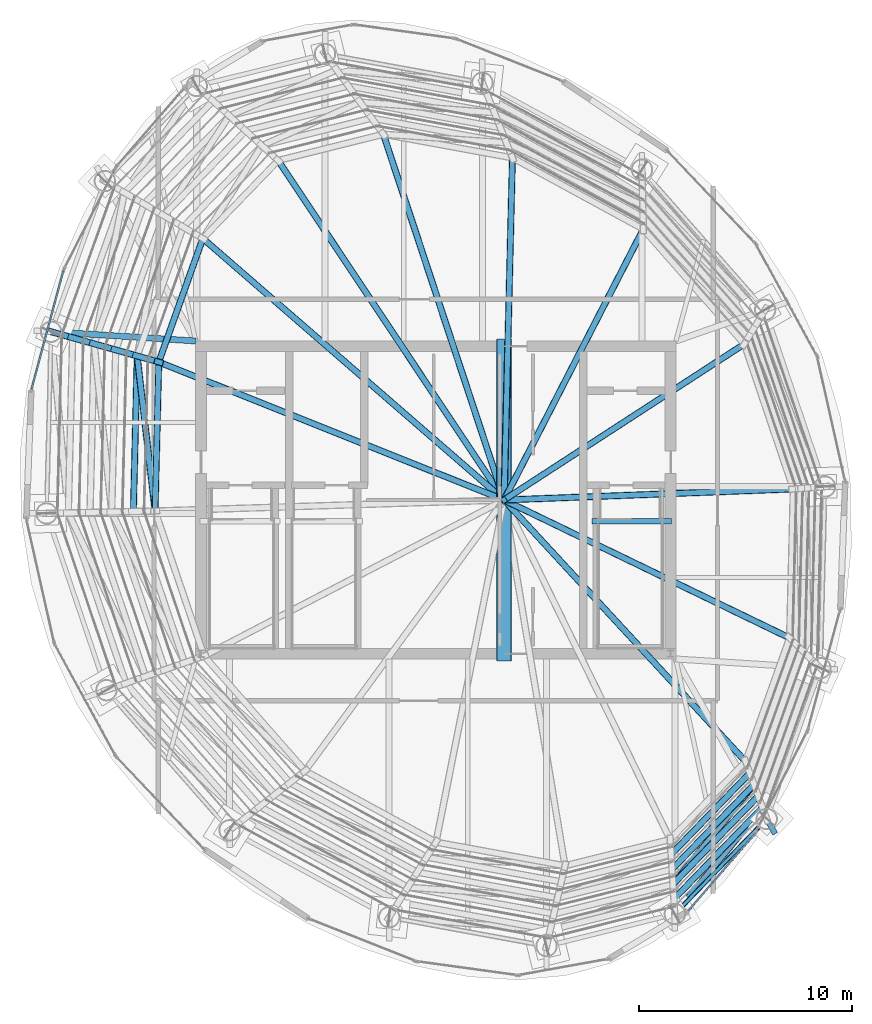
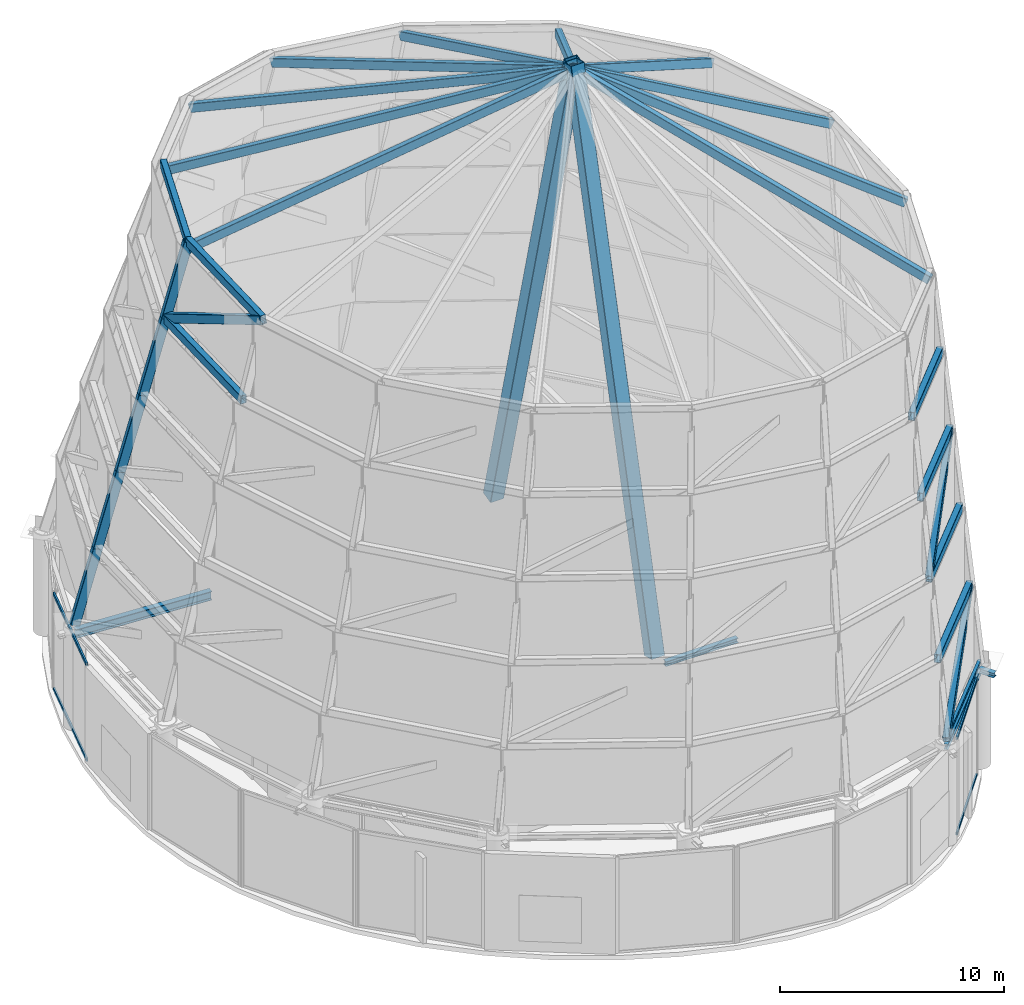
# One storey, part 14 of 40: 31 members, 5 beams, 2 elements without a shape of their own.
"""IFC4 building model written with IfcOpenShell, lengths in metres."""

from ifc_helpers import new_model, si_unit, direction, frame, origin, origin_2d, place, context, subcontext, project, spatial, hollow_rectangle, i_section, extrude, material, layer, layer_set, material_profile, profile_set, type_object, element, aggregate, save


model = new_model("IFC4")

# Units and contexts
model_context = context("Model", 3, precision=1e-05, world=origin(), true_north=direction((0.0, 1.0)))
body_context = subcontext(model_context, "Body", "Model", "MODEL_VIEW")
ifc_project = project(units=[si_unit("LENGTHUNIT", "METRE"), si_unit("AREAUNIT", "SQUARE_METRE"), si_unit("VOLUMEUNIT", "CUBIC_METRE"), si_unit("PLANEANGLEUNIT", "RADIAN"), si_unit("MASSUNIT", "GRAM", prefix="KILO")], contexts=[model_context])

# Site, building, storey
site_placement = place(None, origin())
site = spatial("IfcSite", under=ifc_project, at=site_placement, CompositionType="ELEMENT")
building_placement = place(site_placement, origin())
building = spatial("IfcBuilding", under=site, at=building_placement, Name="Bramvorn Convention Spire", CompositionType="ELEMENT")
storey_placement = place(building_placement, frame((0.0, 0.0, 312.5)))
storey = spatial("IfcBuildingStorey", under=building, at=storey_placement, Name="L79", CompositionType="ELEMENT", Elevation=312.5)

# Beams
ifc_material_1 = material(Name="Steel CSA G40.21 Grade 350 (350W)", Category="steel")
ifc_material_profile_1 = material_profile(ifc_material_1, i_section(OverallWidth=0.152099609375, OverallDepth=0.152099609375, WebThickness=0.005859375, FlangeThickness=0.006591796875, FilletRadius=0.008056640625, at=origin_2d()))
ifc_profile_set_1 = profile_set([ifc_material_profile_1], Name="Steel CSA G40.21 Grade 350 (350W) - W150X22")
beam_type_1 = type_object("IfcBeamType", Name="BM-W150X22", PredefinedType="USERDEFINED", material=ifc_profile_set_1)
beam_1_placement = place(storey_placement, frame((49.199951171875, 6.60107421875, 5.60009765625), z_axis=(0.695007159797, 0.719002814898, 0.0), x_axis=(-0.719002814898, 0.695007159797, 0.0)))
element("IfcBeam", 1, at=beam_1_placement, inside=storey, type_object=beam_type_1, Name="Crown spire base glazing purlin 01", ObjectType="PURLIN", PredefinedType="USERDEFINED", context=body_context, shape_type="SweptSolid", body=[
    extrude(i_section(OverallWidth=0.152099609375, OverallDepth=0.152099609375, WebThickness=0.005859375, FlangeThickness=0.006591796875, FilletRadius=0.008056640625, at=origin_2d()), origin(), (0.0, 0.0, 1.0), 6.1962890625),
])
ifc_material_profile_2 = material_profile(ifc_material_1, i_section(OverallWidth=0.25390625, OverallDepth=0.2529296875, WebThickness=0.008544921875, FlangeThickness=0.01416015625, FilletRadius=0.011962890625, at=origin_2d()))
ifc_profile_set_2 = profile_set([ifc_material_profile_2], Name="Steel CSA G40.21 Grade 350 (350W) - W250X73")
beam_type_2 = type_object("IfcBeamType", Name="BM-W250X73", PredefinedType="BEAM", material=ifc_profile_set_2)
beam_2_placement = place(storey_placement, frame((53.50634765625, 11.05615234375, 5.12353515625), z_axis=(0.494067079829, -0.869423786556, 0.0), x_axis=(0.869423786556, 0.494067079829, 0.0)))
element("IfcBeam", 2, at=beam_2_placement, inside=storey, type_object=beam_type_2, Name="L79 slab-edge cantilever tip beam MC02", PredefinedType="BEAM", context=body_context, shape_type="SweptSolid", body=[
    extrude(i_section(OverallWidth=0.25390625, OverallDepth=0.2529296875, WebThickness=0.008544921875, FlangeThickness=0.01416015625, FilletRadius=0.011962890625, at=origin_2d()), origin(), (0.0, 0.0, 1.0), 0.800048828125),
])
beam_3_placement = place(storey_placement, frame((45.31005859375, 25.010009765625, -0.12646484375), z_axis=(1.0, 0.0, 0.0), x_axis=(0.0, 1.0, 0.0)))
element("IfcBeam", 3, at=beam_3_placement, inside=storey, type_object=beam_type_2, Name="L79 ST2 stair arrival header beam", PredefinedType="BEAM", context=body_context, shape_type="SweptSolid", body=[
    extrude(i_section(OverallWidth=0.25390625, OverallDepth=0.2529296875, WebThickness=0.008544921875, FlangeThickness=0.01416015625, FilletRadius=0.011962890625, at=origin_2d()), origin(), (0.0, 0.0, 1.0), 3.739990234375),
])
ifc_material_profile_3 = material_profile(ifc_material_1, i_section(OverallWidth=0.202880859375, OverallDepth=0.302978515625, WebThickness=0.007568359375, FlangeThickness=0.01318359375, FilletRadius=0.013916015625, at=origin_2d()))
ifc_profile_set_3 = profile_set([ifc_material_profile_3], Name="Steel CSA G40.21 Grade 350 (350W) - W310X60")
beam_type_3 = type_object("IfcBeamType", Name="BM-W310X60", PredefinedType="JOIST", material=ifc_profile_set_3)
beam_4_placement = place(storey_placement, frame((49.199951171875, 6.60107421875, 5.098388671875), z_axis=(0.695007159797, 0.719002814898, 0.0), x_axis=(-0.719002814898, 0.695007159797, 0.0)))
element("IfcBeam", 4, at=beam_4_placement, inside=storey, type_object=beam_type_3, Name="L79 mega-column ring beam 01", PredefinedType="JOIST", context=body_context, shape_type="SweptSolid", body=[
    extrude(i_section(OverallWidth=0.202880859375, OverallDepth=0.302978515625, WebThickness=0.007568359375, FlangeThickness=0.01318359375, FilletRadius=0.013916015625, at=origin_2d()), origin(), (0.0, 0.0, 1.0), 6.1962890625),
])
ifc_material_profile_4 = material_profile(ifc_material_1, i_section(OverallWidth=0.283935546875, OverallDepth=0.47607421875, WebThickness=0.014892578125, FlangeThickness=0.02392578125, FilletRadius=0.01806640625, at=origin_2d()))
ifc_profile_set_4 = profile_set([ifc_material_profile_4], Name="Steel CSA G40.21 Grade 350 (350W) - W460X158")
beam_type_4 = type_object("IfcBeamType", Name="BM-W460X158", PredefinedType="SPANDREL", material=ifc_profile_set_4)
beam_5_placement = place(storey_placement, frame((26.75, 33.449951171875, 5.011962890625), z_axis=(-0.997957536354, 0.063880792379, 0.0), x_axis=(-0.063880792379, -0.997957536354, 0.0)))
element("IfcBeam", 5, at=beam_5_placement, inside=storey, type_object=beam_type_4, Name="L79 radial floor girder MC11", PredefinedType="SPANDREL", context=body_context, shape_type="SweptSolid", body=[
    extrude(i_section(OverallWidth=0.283935546875, OverallDepth=0.47607421875, WebThickness=0.014892578125, FlangeThickness=0.02392578125, FilletRadius=0.01806640625, at=origin_2d()), origin(), (0.0, 0.0, 1.0), 6.78759765625),
])

# Curtain wall, members
ifc_material_2 = material(Name="Anodised Bronze Unitised Curtain Wall", Category="aluminium")
ifc_layer = layer(ifc_material_2, 0.199951171875)
ifc_layer_set = layer_set([ifc_layer], Name="Anodised Bronze Unitised Curtain Wall - CW-CROWN-SPIRE")
curtain_wall_type = type_object("IfcCurtainWallType", Name="CW-CROWN-SPIRE", PredefinedType="USERDEFINED", material=ifc_layer_set)
curtain_wall_1_placement = place(storey_placement, origin())
curtain_wall_1 = element("IfcCurtainWall", 6, at=curtain_wall_1_placement, inside=storey, type_object=curtain_wall_type, Name="L79 fritted glass curtain wall 02", ObjectType="UNITISED CURTAIN WALL", PredefinedType="USERDEFINED")
ifc_material_3 = material(Name="Anodised Bronze Aluminium 6063-T6", Category="aluminium")
ifc_material_profile_5 = material_profile(ifc_material_3, hollow_rectangle(XDim=0.090087890625, YDim=0.179931640625, WallThickness=0.00439453125, InnerFilletRadius=0.0009765625, OuterFilletRadius=0.00439453125, at=origin_2d()))
ifc_profile_set_5 = profile_set([ifc_material_profile_5], Name="Anodised Bronze Aluminium 6063-T6 - CWT90X180")
member_type_1 = type_object("IfcMemberType", Name="CW-TRN-180", PredefinedType="USERDEFINED", material=ifc_profile_set_5)
member_1_placement = place(storey_placement, frame((52.920166015625, 10.32470703125, 0.030029296875), z_axis=(-0.654004645726, -0.756490530918, 0.0), x_axis=(0.756490530918, -0.654004645726, 0.0)))
member_1 = element("IfcMember", 7, at=member_1_placement, type_object=member_type_1, Name="CW6 transom 1.1", ObjectType="TRANSOM", PredefinedType="USERDEFINED", context=body_context, shape_type="SweptSolid", body=[
    extrude(hollow_rectangle(XDim=0.090087890625, YDim=0.179931640625, WallThickness=0.00439453125, InnerFilletRadius=0.0009765625, OuterFilletRadius=0.00439453125, at=origin_2d()), origin(), (0.0, 0.0, 1.0), 4.6904296875),
])
member_2_placement = place(storey_placement, frame((52.920166015625, 10.32470703125, 5.219970703125), z_axis=(-0.654004645726, -0.756490530918, 0.0), x_axis=(0.756490530918, -0.654004645726, 0.0)))
member_2 = element("IfcMember", 8, at=member_2_placement, type_object=member_type_1, Name="CW6 transom 1.2", ObjectType="TRANSOM", PredefinedType="USERDEFINED", context=body_context, shape_type="SweptSolid", body=[
    extrude(hollow_rectangle(XDim=0.090087890625, YDim=0.179931640625, WallThickness=0.00439453125, InnerFilletRadius=0.0009765625, OuterFilletRadius=0.00439453125, at=origin_2d()), origin(), (0.0, 0.0, 1.0), 4.6904296875),
])
aggregate(curtain_wall_1, [member_1, member_2])

curtain_wall_2_placement = place(storey_placement, origin())
curtain_wall_2 = element("IfcCurtainWall", 9, at=curtain_wall_2_placement, inside=storey, type_object=curtain_wall_type, Name="L79 fritted glass curtain wall 16", ObjectType="UNITISED CURTAIN WALL", PredefinedType="USERDEFINED")
member_3_placement = place(storey_placement, frame((19.062744140625, 31.194091796875, 0.030029296875), z_axis=(0.259964324409, 0.965618221677, 0.0), x_axis=(-0.965618221677, 0.259964324409, 0.0)))
member_3 = element("IfcMember", 10, at=member_3_placement, type_object=member_type_1, Name="CW6 transom 1.1", ObjectType="TRANSOM", PredefinedType="USERDEFINED", context=body_context, shape_type="SweptSolid", body=[
    extrude(hollow_rectangle(XDim=0.090087890625, YDim=0.179931640625, WallThickness=0.00439453125, InnerFilletRadius=0.0009765625, OuterFilletRadius=0.00439453125, at=origin_2d()), origin(), (0.0, 0.0, 1.0), 5.741943359375),
])
member_4_placement = place(storey_placement, frame((19.062744140625, 31.194091796875, 5.219970703125), z_axis=(0.259964324409, 0.965618221677, 0.0), x_axis=(-0.965618221677, 0.259964324409, 0.0)))
member_4 = element("IfcMember", 11, at=member_4_placement, type_object=member_type_1, Name="CW6 transom 1.2", ObjectType="TRANSOM", PredefinedType="USERDEFINED", context=body_context, shape_type="SweptSolid", body=[
    extrude(hollow_rectangle(XDim=0.090087890625, YDim=0.179931640625, WallThickness=0.00439453125, InnerFilletRadius=0.0009765625, OuterFilletRadius=0.00439453125, at=origin_2d()), origin(), (0.0, 0.0, 1.0), 5.741943359375),
])
aggregate(curtain_wall_2, [member_3, member_4])

# Members
ifc_material_profile_6 = material_profile(ifc_material_1, hollow_rectangle(XDim=0.699951171875, YDim=0.699951171875, WallThickness=0.034912109375, InnerFilletRadius=0.0009765625, OuterFilletRadius=0.034912109375, at=origin_2d()))
ifc_profile_set_6 = profile_set([ifc_material_profile_6], Name="Steel CSA G40.21 Grade 350 (350W) - BOX700X700X35")
member_type_2 = type_object("IfcMemberType", Name="MBR-BOX700X700X35", PredefinedType="CHORD", material=ifc_profile_set_6)
for number, where, z_axis, x_axis, name in (
    (12, (41.199951171875, 18.800048828125, 5.5), (0.0, 0.249039455641, 0.968493339953), (-1.0, 0.0, 0.0), "Crown Spire South Core-Bearing Mast Leg"),
    (13, (41.199951171875, 33.199951171875, 5.5), (0.0, -0.249039455641, 0.968493339953), (1.0, 0.0, 0.0), "Crown Spire North Core-Bearing Mast Leg"),
):
    element("IfcMember", number, at=place(storey_placement, frame(where, z_axis=z_axis, x_axis=x_axis)), inside=storey, type_object=member_type_2, Name=name, PredefinedType="CHORD", context=body_context, shape_type="SweptSolid", body=[
        extrude(hollow_rectangle(XDim=0.699951171875, YDim=0.699951171875, WallThickness=0.034912109375, InnerFilletRadius=0.0009765625, OuterFilletRadius=0.034912109375, at=origin_2d()), origin(), (0.0, 0.0, 1.0), 28.910888671875),
    ])
ifc_material_profile_7 = material_profile(ifc_material_1, hollow_rectangle(XDim=0.300048828125, YDim=0.449951171875, WallThickness=0.02001953125, InnerFilletRadius=0.00390625, OuterFilletRadius=0.02392578125, at=origin_2d()))
ifc_profile_set_7 = profile_set([ifc_material_profile_7], Name="Steel CSA G40.21 Grade 350 (350W) - CROWN450X300X20")
member_type_3 = type_object("IfcMemberType", Name="MBR-CROWN450X300X20", PredefinedType="USERDEFINED", material=ifc_profile_set_7)
member_5_placement = place(storey_placement, frame((49.15673828125, 7.29931640625, 9.5), z_axis=(0.694988290365, 0.719021054111, 0.0), x_axis=(-0.719021054111, 0.694988290365, 0.0)))
element("IfcMember", 14, at=member_5_placement, inside=storey, type_object=member_type_3, Name="Crown spire CROWN FRAME ring beam T1-01", ObjectType="CROWN FRAME", PredefinedType="USERDEFINED", context=body_context, shape_type="SweptSolid", body=[
    extrude(hollow_rectangle(XDim=0.300048828125, YDim=0.449951171875, WallThickness=0.02001953125, InnerFilletRadius=0.00390625, OuterFilletRadius=0.02392578125, at=origin_2d()), origin(), (0.0, 0.0, 1.0), 5.973388671875),
])
member_6_placement = place(storey_placement, frame((49.199951171875, 6.60107421875, 5.5), z_axis=(0.540319260837, 0.656718935201, 0.526094417873), x_axis=(-0.772223341201, 0.63535117164, 0.0)))
element("IfcMember", 15, at=member_6_placement, inside=storey, type_object=member_type_3, Name="Crown spire CROWN FRAME wind brace T1-01", ObjectType="CROWN FRAME", PredefinedType="USERDEFINED", context=body_context, shape_type="SweptSolid", body=[
    extrude(hollow_rectangle(XDim=0.300048828125, YDim=0.449951171875, WallThickness=0.02001953125, InnerFilletRadius=0.00390625, OuterFilletRadius=0.02392578125, at=origin_2d()), origin(), (0.0, 0.0, 1.0), 7.603271484375),
])
member_7_placement = place(storey_placement, frame((19.976318359375, 33.883544921875, 5.5), z_axis=(0.243963142533, -0.068666295926, 0.967350466423), x_axis=(0.270934470976, 0.9625977937, 0.0)))
element("IfcMember", 16, at=member_7_placement, inside=storey, type_object=member_type_3, Name="Crown spire CROWN FRAME rib T1-11", ObjectType="CROWN FRAME", PredefinedType="USERDEFINED", context=body_context, shape_type="SweptSolid", body=[
    extrude(hollow_rectangle(XDim=0.300048828125, YDim=0.449951171875, WallThickness=0.02001953125, InnerFilletRadius=0.00390625, OuterFilletRadius=0.02392578125, at=origin_2d()), origin(), (0.0, 0.0, 1.0), 4.135009765625),
])
member_8_placement = place(storey_placement, frame((49.113525390625, 7.997802734375, 13.5), z_axis=(0.695010390672, 0.718999691834, 0.0), x_axis=(-0.718999691834, 0.695010390672, 0.0)))
element("IfcMember", 17, at=member_8_placement, inside=storey, type_object=member_type_3, Name="Crown spire CROWN FRAME ring beam T2-01", ObjectType="CROWN FRAME", PredefinedType="USERDEFINED", context=body_context, shape_type="SweptSolid", body=[
    extrude(hollow_rectangle(XDim=0.300048828125, YDim=0.449951171875, WallThickness=0.02001953125, InnerFilletRadius=0.00390625, OuterFilletRadius=0.02392578125, at=origin_2d()), origin(), (0.0, 0.0, 1.0), 5.75),
])
member_9_placement = place(storey_placement, frame((20.985107421875, 33.599609375, 9.5), z_axis=(0.243964131195, -0.06860753157, 0.967354386615), x_axis=(0.270718589499, 0.962658529957, 0.0)))
element("IfcMember", 18, at=member_9_placement, inside=storey, type_object=member_type_3, Name="Crown spire CROWN FRAME rib T2-11", ObjectType="CROWN FRAME", PredefinedType="USERDEFINED", context=body_context, shape_type="SweptSolid", body=[
    extrude(hollow_rectangle(XDim=0.300048828125, YDim=0.449951171875, WallThickness=0.02001953125, InnerFilletRadius=0.00390625, OuterFilletRadius=0.02392578125, at=origin_2d()), origin(), (0.0, 0.0, 1.0), 4.135009765625),
])
member_10_placement = place(storey_placement, frame((49.0703125, 8.696044921875, 17.5), z_axis=(0.69499012847, 0.719019277439, 0.0), x_axis=(-0.719019277439, 0.69499012847, 0.0)))
element("IfcMember", 19, at=member_10_placement, inside=storey, type_object=member_type_3, Name="Crown spire CROWN FRAME ring beam T3-01", ObjectType="CROWN FRAME", PredefinedType="USERDEFINED", context=body_context, shape_type="SweptSolid", body=[
    extrude(hollow_rectangle(XDim=0.300048828125, YDim=0.449951171875, WallThickness=0.02001953125, InnerFilletRadius=0.00390625, OuterFilletRadius=0.02392578125, at=origin_2d()), origin(), (0.0, 0.0, 1.0), 5.527099609375),
])
member_11_placement = place(storey_placement, frame((49.113525390625, 7.997802734375, 13.5), z_axis=(0.525406818535, 0.646347990816, 0.553337103225), x_axis=(-0.77596763233, 0.630772727357, 0.0)))
element("IfcMember", 20, at=member_11_placement, inside=storey, type_object=member_type_3, Name="Crown spire CROWN FRAME wind brace T3-01", ObjectType="CROWN FRAME", PredefinedType="USERDEFINED", context=body_context, shape_type="SweptSolid", body=[
    extrude(hollow_rectangle(XDim=0.300048828125, YDim=0.449951171875, WallThickness=0.02001953125, InnerFilletRadius=0.00390625, OuterFilletRadius=0.02392578125, at=origin_2d()), origin(), (0.0, 0.0, 1.0), 7.228759765625),
])
member_12_placement = place(storey_placement, frame((21.993896484375, 33.31591796875, 13.5), z_axis=(0.244018669634, -0.068665306747, 0.967336531161), x_axis=(0.270873727429, 0.962614888618, 0.0)))
element("IfcMember", 21, at=member_12_placement, inside=storey, type_object=member_type_3, Name="Crown spire CROWN FRAME rib T3-11", ObjectType="CROWN FRAME", PredefinedType="USERDEFINED", context=body_context, shape_type="SweptSolid", body=[
    extrude(hollow_rectangle(XDim=0.300048828125, YDim=0.449951171875, WallThickness=0.02001953125, InnerFilletRadius=0.00390625, OuterFilletRadius=0.02392578125, at=origin_2d()), origin(), (0.0, 0.0, 1.0), 4.135009765625),
])
member_13_placement = place(storey_placement, frame((49.027099609375, 9.39453125, 21.5), z_axis=(0.695014165075, 0.718996043345, 0.0), x_axis=(-0.718996043345, 0.695014165075, 0.0)))
element("IfcMember", 22, at=member_13_placement, inside=storey, type_object=member_type_3, Name="Crown spire CROWN FRAME ring beam T4-01", ObjectType="CROWN FRAME", PredefinedType="USERDEFINED", context=body_context, shape_type="SweptSolid", body=[
    extrude(hollow_rectangle(XDim=0.300048828125, YDim=0.449951171875, WallThickness=0.02001953125, InnerFilletRadius=0.00390625, OuterFilletRadius=0.02392578125, at=origin_2d()), origin(), (0.0, 0.0, 1.0), 5.303955078125),
])
member_14_placement = place(storey_placement, frame((23.0029296875, 33.031982421875, 17.5), z_axis=(0.243964131195, -0.06860753157, 0.967354386615), x_axis=(0.270718589499, 0.962658529957, 0.0)))
element("IfcMember", 23, at=member_14_placement, inside=storey, type_object=member_type_3, Name="Crown spire CROWN FRAME rib T4-11", ObjectType="CROWN FRAME", PredefinedType="USERDEFINED", context=body_context, shape_type="SweptSolid", body=[
    extrude(hollow_rectangle(XDim=0.300048828125, YDim=0.449951171875, WallThickness=0.02001953125, InnerFilletRadius=0.00390625, OuterFilletRadius=0.02392578125, at=origin_2d()), origin(), (0.0, 0.0, 1.0), 4.135009765625),
])
member_15_placement = place(storey_placement, frame((24.01171875, 32.748291015625, 21.5), z_axis=(-0.024751192765, -0.999693642301, 0.0), x_axis=(0.999693642301, -0.024751192765, 0.0)))
element("IfcMember", 24, at=member_15_placement, inside=storey, type_object=member_type_3, Name="Crown spire CROWN FRAME ring beam T4-11", ObjectType="CROWN FRAME", PredefinedType="USERDEFINED", context=body_context, shape_type="SweptSolid", body=[
    extrude(hollow_rectangle(XDim=0.300048828125, YDim=0.449951171875, WallThickness=0.02001953125, InnerFilletRadius=0.00390625, OuterFilletRadius=0.02392578125, at=origin_2d()), origin(), (0.0, 0.0, 1.0), 7.289306640625),
])
member_16_placement = place(storey_placement, frame((27.084716796875, 38.25390625, 25.5), z_axis=(-0.335845673421, -0.941917025881, 0.0), x_axis=(0.941917025881, -0.335845673421, 0.0)))
element("IfcMember", 25, at=member_16_placement, inside=storey, type_object=member_type_3, Name="Crown spire CROWN FRAME ring beam T5-10", ObjectType="CROWN FRAME", PredefinedType="USERDEFINED", context=body_context, shape_type="SweptSolid", body=[
    extrude(hollow_rectangle(XDim=0.300048828125, YDim=0.449951171875, WallThickness=0.02001953125, InnerFilletRadius=0.00390625, OuterFilletRadius=0.02392578125, at=origin_2d()), origin(), (0.0, 0.0, 1.0), 6.146240234375),
])
member_17_placement = place(storey_placement, frame((24.01171875, 32.748291015625, 21.5), z_axis=(0.243964131195, -0.06860753157, 0.967354386615), x_axis=(0.270718589499, 0.962658529957, 0.0)))
element("IfcMember", 26, at=member_17_placement, inside=storey, type_object=member_type_3, Name="Crown spire CROWN FRAME rib T5-11", ObjectType="CROWN FRAME", PredefinedType="USERDEFINED", context=body_context, shape_type="SweptSolid", body=[
    extrude(hollow_rectangle(XDim=0.300048828125, YDim=0.449951171875, WallThickness=0.02001953125, InnerFilletRadius=0.00390625, OuterFilletRadius=0.02392578125, at=origin_2d()), origin(), (0.0, 0.0, 1.0), 4.135009765625),
])
member_18_placement = place(storey_placement, frame((25.0205078125, 32.464599609375, 25.5), z_axis=(-0.02475371785, -0.99969357978, 0.0), x_axis=(0.99969357978, -0.02475371785, 0.0)))
element("IfcMember", 27, at=member_18_placement, inside=storey, type_object=member_type_3, Name="Crown spire CROWN FRAME ring beam T5-11", ObjectType="CROWN FRAME", PredefinedType="USERDEFINED", context=body_context, shape_type="SweptSolid", body=[
    extrude(hollow_rectangle(XDim=0.300048828125, YDim=0.449951171875, WallThickness=0.02001953125, InnerFilletRadius=0.00390625, OuterFilletRadius=0.02392578125, at=origin_2d()), origin(), (0.0, 0.0, 1.0), 6.98291015625),
])
member_19_placement = place(storey_placement, frame((24.01171875, 32.748291015625, 21.5), z_axis=(0.100293786794, -0.871565895463, 0.479910456436), x_axis=(0.993444128544, 0.114318692527, 0.0)))
element("IfcMember", 28, at=member_19_placement, inside=storey, type_object=member_type_3, Name="Crown spire CROWN FRAME wind brace T5-11", ObjectType="CROWN FRAME", PredefinedType="USERDEFINED", context=body_context, shape_type="SweptSolid", body=[
    extrude(hollow_rectangle(XDim=0.300048828125, YDim=0.449951171875, WallThickness=0.02001953125, InnerFilletRadius=0.00390625, OuterFilletRadius=0.02392578125, at=origin_2d()), origin(), (0.0, 0.0, 1.0), 8.3349609375),
])
member_20_placement = place(storey_placement, frame((52.51513671875, 13.74609375, 25.1201171875), z_axis=(-0.611683803052, 0.662429789259, 0.432469304559), x_axis=(-0.734687268859, -0.678405938194, 0.0)))
element("IfcMember", 29, at=member_20_placement, inside=storey, type_object=member_type_3, Name="Crown glass-point apex rafter 02", ObjectType="CROWN FRAME", PredefinedType="USERDEFINED", context=body_context, shape_type="SweptSolid", body=[
    extrude(hollow_rectangle(XDim=0.300048828125, YDim=0.449951171875, WallThickness=0.02001953125, InnerFilletRadius=0.00390625, OuterFilletRadius=0.02392578125, at=origin_2d()), origin(), (0.0, 0.0, 1.0), 18.49853515625),
])
member_21_placement = place(storey_placement, frame((54.579345703125, 19.535400390625, 25.1201171875), z_axis=(-0.79280620892, 0.383064771468, 0.474046090542), x_axis=(-0.43505367191, -0.900404521622, 0.0)))
element("IfcMember", 30, at=member_21_placement, inside=storey, type_object=member_type_3, Name="Crown glass-point apex rafter 03", ObjectType="CROWN FRAME", PredefinedType="USERDEFINED", context=body_context, shape_type="SweptSolid", body=[
    extrude(hollow_rectangle(XDim=0.300048828125, YDim=0.449951171875, WallThickness=0.02001953125, InnerFilletRadius=0.00390625, OuterFilletRadius=0.02392578125, at=origin_2d()), origin(), (0.0, 0.0, 1.0), 16.8759765625),
])
member_22_placement = place(storey_placement, frame((54.75244140625, 26.51611328125, 25.1201171875), z_axis=(-0.860694422439, -0.032777431663, 0.508065695709), x_axis=(0.038054957025, -0.99927564778, 0.0)))
element("IfcMember", 31, at=member_22_placement, inside=storey, type_object=member_type_3, Name="Crown glass-point apex rafter 04", ObjectType="CROWN FRAME", PredefinedType="USERDEFINED", context=body_context, shape_type="SweptSolid", body=[
    extrude(hollow_rectangle(XDim=0.300048828125, YDim=0.449951171875, WallThickness=0.02001953125, InnerFilletRadius=0.00390625, OuterFilletRadius=0.02392578125, at=origin_2d()), origin(), (0.0, 0.0, 1.0), 15.74609375),
])
member_23_placement = place(storey_placement, frame((52.45458984375, 33.30615234375, 25.1201171875), z_axis=(-0.720435390877, -0.467683670088, 0.512098459581), x_axis=(0.544497733061, -0.838762313586, 0.0)))
element("IfcMember", 32, at=member_23_placement, inside=storey, type_object=member_type_3, Name="Crown glass-point apex rafter 05", ObjectType="CROWN FRAME", PredefinedType="USERDEFINED", context=body_context, shape_type="SweptSolid", body=[
    extrude(hollow_rectangle(XDim=0.300048828125, YDim=0.449951171875, WallThickness=0.02001953125, InnerFilletRadius=0.00390625, OuterFilletRadius=0.02392578125, at=origin_2d()), origin(), (0.0, 0.0, 1.0), 15.6220703125),
])
member_24_placement = place(storey_placement, frame((47.72314453125, 38.69091796875, 25.1201171875), z_axis=(-0.398756619904, -0.775783772441, 0.489032408436), x_axis=(0.889389377389, -0.457150451588, 0.0)))
element("IfcMember", 33, at=member_24_placement, inside=storey, type_object=member_type_3, Name="Crown glass-point apex rafter 06", ObjectType="CROWN FRAME", PredefinedType="USERDEFINED", context=body_context, shape_type="SweptSolid", body=[
    extrude(hollow_rectangle(XDim=0.300048828125, YDim=0.449951171875, WallThickness=0.02001953125, InnerFilletRadius=0.00390625, OuterFilletRadius=0.02392578125, at=origin_2d()), origin(), (0.0, 0.0, 1.0), 16.35888671875),
])
member_25_placement = place(storey_placement, frame((41.59130859375, 42.03173828125, 25.1201171875), z_axis=(-0.021837666463, -0.894567814067, 0.446398412137), x_axis=(0.999702174503, -0.024404145002, 0.0)))
element("IfcMember", 34, at=member_25_placement, inside=storey, type_object=member_type_3, Name="Crown glass-point apex rafter 07", ObjectType="CROWN FRAME", PredefinedType="USERDEFINED", context=body_context, shape_type="SweptSolid", body=[
    extrude(hollow_rectangle(XDim=0.300048828125, YDim=0.449951171875, WallThickness=0.02001953125, InnerFilletRadius=0.00390625, OuterFilletRadius=0.02392578125, at=origin_2d()), origin(), (0.0, 0.0, 1.0), 17.921142578125),
])
member_26_placement = place(storey_placement, frame((35.54541015625, 43.138671875, 25.1201171875), z_axis=(0.286436098363, -0.868175558269, 0.405247531244), x_axis=(0.949648775924, 0.313316457253, 0.0)))
element("IfcMember", 35, at=member_26_placement, inside=storey, type_object=member_type_3, Name="Crown glass-point apex rafter 08", ObjectType="CROWN FRAME", PredefinedType="USERDEFINED", context=body_context, shape_type="SweptSolid", body=[
    extrude(hollow_rectangle(XDim=0.300048828125, YDim=0.449951171875, WallThickness=0.02001953125, InnerFilletRadius=0.00390625, OuterFilletRadius=0.02392578125, at=origin_2d()), origin(), (0.0, 0.0, 1.0), 19.740966796875),
])
member_27_placement = place(storey_placement, frame((30.615966796875, 41.9072265625, 25.1201171875), z_axis=(0.510963503766, -0.767953913345, 0.386216370442), x_axis=(0.832553202379, 0.553945092233, 0.0)))
element("IfcMember", 36, at=member_27_placement, inside=storey, type_object=member_type_3, Name="Crown glass-point apex rafter 09", ObjectType="CROWN FRAME", PredefinedType="USERDEFINED", context=body_context, shape_type="SweptSolid", body=[
    extrude(hollow_rectangle(XDim=0.300048828125, YDim=0.449951171875, WallThickness=0.02001953125, InnerFilletRadius=0.00390625, OuterFilletRadius=0.02392578125, at=origin_2d()), origin(), (0.0, 0.0, 1.0), 20.7138671875),
])
member_28_placement = place(storey_placement, frame((27.084716796875, 38.25390625, 25.1201171875), z_axis=(0.694230798702, -0.602684935804, 0.393464695099), x_axis=(0.65556281109, 0.755140649625, 0.0)))
element("IfcMember", 37, at=member_28_placement, inside=storey, type_object=member_type_3, Name="Crown glass-point apex rafter 10", ObjectType="CROWN FRAME", PredefinedType="USERDEFINED", context=body_context, shape_type="SweptSolid", body=[
    extrude(hollow_rectangle(XDim=0.300048828125, YDim=0.449951171875, WallThickness=0.02001953125, InnerFilletRadius=0.00390625, OuterFilletRadius=0.02392578125, at=origin_2d()), origin(), (0.0, 0.0, 1.0), 20.332275390625),
])
member_29_placement = place(storey_placement, frame((25.0205078125, 32.464599609375, 25.1201171875), z_axis=(0.843910214222, -0.337189699301, 0.417275277265), x_axis=(0.371035506207, 0.928618680156, 0.0)))
element("IfcMember", 38, at=member_29_placement, inside=storey, type_object=member_type_3, Name="Crown glass-point apex rafter 11", ObjectType="CROWN FRAME", PredefinedType="USERDEFINED", context=body_context, shape_type="SweptSolid", body=[
    extrude(hollow_rectangle(XDim=0.300048828125, YDim=0.449951171875, WallThickness=0.02001953125, InnerFilletRadius=0.00390625, OuterFilletRadius=0.02392578125, at=origin_2d()), origin(), (0.0, 0.0, 1.0), 19.171875),
])

save(model, "model.ifc")
